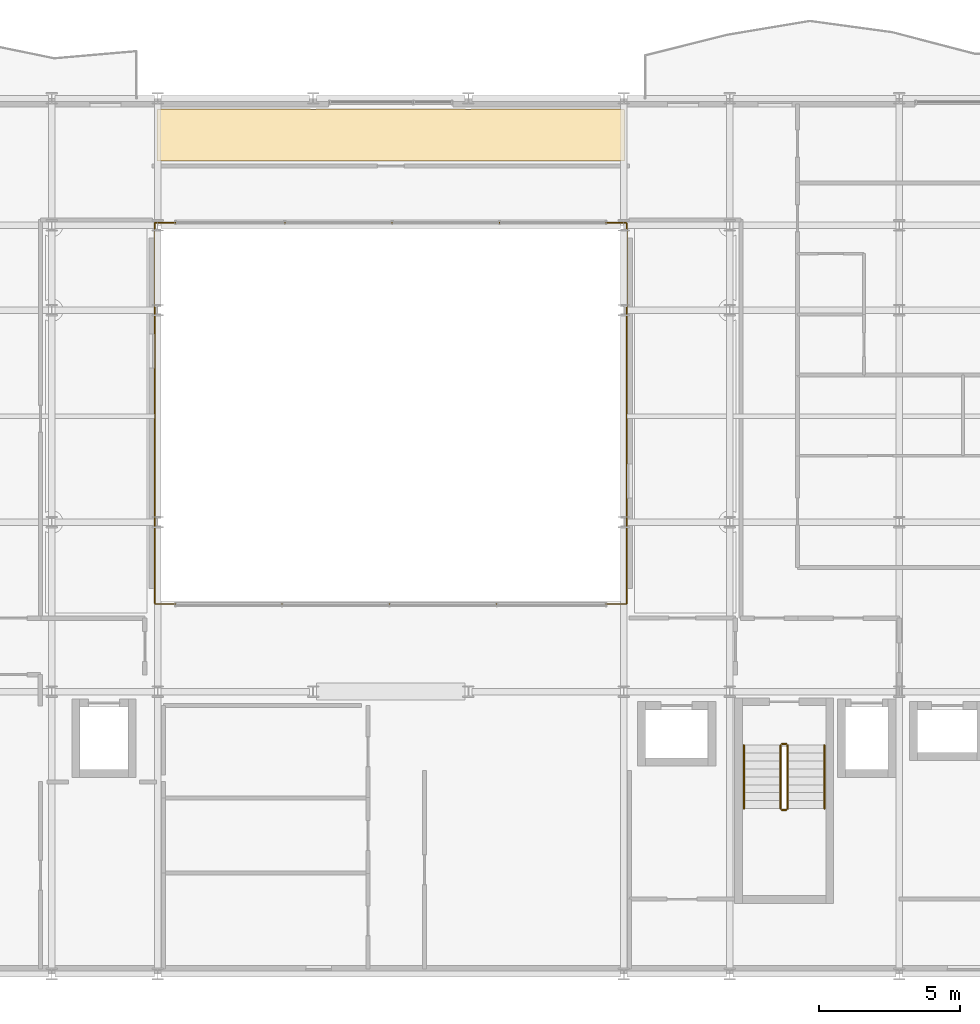
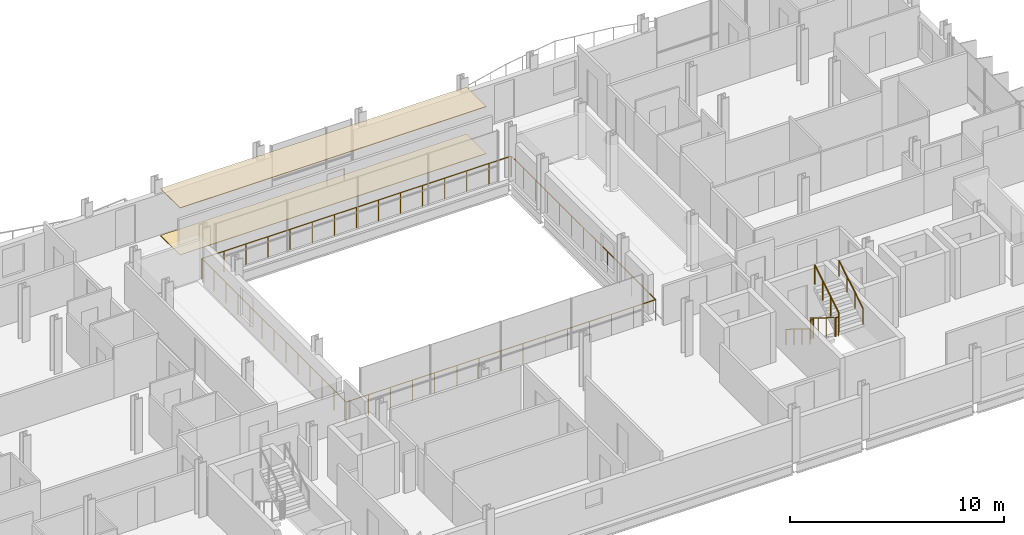
# One storey, part 37 of 38: 8 railings, 2 coverings.
"""IFC4 building model written with IfcOpenShell, lengths in metres."""

from ifc_helpers import new_model, si_unit, direction, frame, origin, origin_2d, place, context, subcontext, project, spatial, polyline, circle, outline, extrude, material, layer, layer_set, type_object, element, save


model = new_model("IFC4")

# Units and contexts
model_context = context("Model", 3, precision=1e-05, world=origin(), true_north=direction((0.0, 1.0)))
body_context = subcontext(model_context, "Body", "Model", "MODEL_VIEW")
ifc_project = project(units=[si_unit("LENGTHUNIT", "METRE"), si_unit("AREAUNIT", "SQUARE_METRE"), si_unit("VOLUMEUNIT", "CUBIC_METRE"), si_unit("PLANEANGLEUNIT", "RADIAN"), si_unit("MASSUNIT", "GRAM", prefix="KILO")], contexts=[model_context])

# Site, building, storey
site_placement = place(None, origin())
site = spatial("IfcSite", under=ifc_project, at=site_placement, CompositionType="ELEMENT")
building_placement = place(site_placement, origin())
building = spatial("IfcBuilding", under=site, at=building_placement, Name="Brevholm Reach", CompositionType="ELEMENT")
storey_placement = place(building_placement, frame((0.0, 0.0, 141.800048828125)))
storey = spatial("IfcBuildingStorey", under=building, at=storey_placement, Name="L42", CompositionType="ELEMENT", Elevation=141.800048828125)

# Coverings
ifc_material_1 = material(Name="Moisture-Resistant Skimmed Gypsum Plasterboard Ceiling", Category="gypsum")
ifc_layer_1 = layer(ifc_material_1, 0.030029296875)
ifc_layer_set_1 = layer_set([ifc_layer_1], Name="Moisture-Resistant Skimmed Gypsum Plasterboard Ceiling")
covering_type_1 = type_object("IfcCoveringType", Name="COV-CLG-GYP", PredefinedType="CEILING", material=ifc_layer_set_1)
covering_1_placement = place(storey_placement, frame((0.0, 0.0, 2.679931640625)))
element("IfcCovering", 1, at=covering_1_placement, inside=storey, type_object=covering_type_1, Name="L42 Suspended Ceiling L42-58", PredefinedType="CEILING", context=body_context, shape_type="SweptSolid", body=[
    extrude(outline(polyline([(27.126220703125, 30.6201171875), (27.1337890625, 30.6171875), (27.172119140625, 30.607666015625), (27.210693359375, 30.601806640625), (27.25, 30.60009765625), (27.289306640625, 30.601806640625), (27.327880859375, 30.607666015625), (27.3662109375, 30.6171875), (27.373779296875, 30.6201171875), (32.626220703125, 30.6201171875), (32.6337890625, 30.6171875), (32.672119140625, 30.607666015625), (32.710693359375, 30.601806640625), (32.75, 30.60009765625), (32.789306640625, 30.601806640625), (32.827880859375, 30.607666015625), (32.8662109375, 30.6171875), (32.873779296875, 30.6201171875), (38.126220703125, 30.6201171875), (38.1337890625, 30.6171875), (38.172119140625, 30.607666015625), (38.210693359375, 30.601806640625), (38.25, 30.60009765625), (38.26611328125, 30.600830078125), (38.26611328125, 28.783935546875), (21.73388671875, 28.783935546875), (21.73388671875, 30.600830078125), (21.75, 30.60009765625), (21.789306640625, 30.601806640625), (21.827880859375, 30.607666015625), (21.8662109375, 30.6171875), (21.873779296875, 30.6201171875), (27.126220703125, 30.6201171875)])), origin(), (0.0, 0.0, 1.0), 0.030029296875),
])
ifc_material_2 = material(Name="Honed Portland-Aggregate Resin Terrazzo Flooring", Category="concrete")
ifc_layer_2 = layer(ifc_material_2, 0.031982421875)
ifc_layer_set_2 = layer_set([ifc_layer_2], Name="Honed Portland-Aggregate Resin Terrazzo Flooring")
covering_type_2 = type_object("IfcCoveringType", Name="COV-FLR-TRZ", PredefinedType="FLOORING", material=ifc_layer_set_2)
covering_2_placement = place(storey_placement, origin())
element("IfcCovering", 2, at=covering_2_placement, inside=storey, type_object=covering_type_2, Name="L42 Floor Finish L42-58", PredefinedType="FLOORING", context=body_context, shape_type="SweptSolid", body=[
    extrude(outline(polyline([(27.126220703125, 30.6201171875), (27.1337890625, 30.6171875), (27.172119140625, 30.607666015625), (27.210693359375, 30.601806640625), (27.25, 30.60009765625), (27.289306640625, 30.601806640625), (27.327880859375, 30.607666015625), (27.3662109375, 30.6171875), (27.373779296875, 30.6201171875), (32.626220703125, 30.6201171875), (32.6337890625, 30.6171875), (32.672119140625, 30.607666015625), (32.710693359375, 30.601806640625), (32.75, 30.60009765625), (32.789306640625, 30.601806640625), (32.827880859375, 30.607666015625), (32.8662109375, 30.6171875), (32.873779296875, 30.6201171875), (38.126220703125, 30.6201171875), (38.1337890625, 30.6171875), (38.172119140625, 30.607666015625), (38.210693359375, 30.601806640625), (38.25, 30.60009765625), (38.26611328125, 30.600830078125), (38.26611328125, 28.783935546875), (21.73388671875, 28.783935546875), (21.73388671875, 30.600830078125), (21.75, 30.60009765625), (21.789306640625, 30.601806640625), (21.827880859375, 30.607666015625), (21.8662109375, 30.6171875), (21.873779296875, 30.6201171875), (27.126220703125, 30.6201171875)])), origin(), (0.0, 0.0, 1.0), 0.031982421875),
])

# Railings
ifc_material_3 = material(Name="Brushed Stainless Steel EN 1.4401 Continuous Handrail", Category="steel")
railing_type_1 = type_object("IfcRailingType", Name="RAL-HND-950", PredefinedType="HANDRAIL", material=ifc_material_3)
railing_1_placement = place(storey_placement, frame((42.5, 8.10009765625, 0.172119140625)))
element("IfcRailing", 3, at=railing_1_placement, inside=storey, type_object=railing_type_1, Name="L42 ST-2 stair handrail 1", PredefinedType="HANDRAIL", context=body_context, shape_type="SweptSolid", body=[
    extrude(circle(Radius=0.02392578125, at=origin_2d()), frame((0.0, 0.0, 0.8857421875), z_axis=(0.0, -0.851747552033, 0.523952390591), x_axis=(1.0, 0.0, 0.0)), (0.0, 0.0, 1.0), 2.6298828125),
    extrude(circle(Radius=0.02099609375, at=origin_2d()), origin(), (0.0, 0.0, 1.0), 0.86181640625),
    extrude(circle(Radius=0.02099609375, at=origin_2d()), frame((0.0, -0.74658203125, 0.459228515625)), (0.0, 0.0, 1.0), 0.86181640625),
    extrude(circle(Radius=0.02099609375, at=origin_2d()), frame((0.0, -1.493408203125, 0.918701171875)), (0.0, 0.0, 1.0), 0.86181640625),
    extrude(circle(Radius=0.02099609375, at=origin_2d()), frame((0.0, -2.239990234375, 1.3779296875)), (0.0, 0.0, 1.0), 0.86181640625),
])
railing_2_placement = place(storey_placement, frame((45.35009765625, 5.860107421875, 1.72216796875)))
element("IfcRailing", 4, at=railing_2_placement, inside=storey, type_object=railing_type_1, Name="L42 ST-2 stair handrail 2", PredefinedType="HANDRAIL", context=body_context, shape_type="SweptSolid", body=[
    extrude(circle(Radius=0.02392578125, at=origin_2d()), frame((0.0, 0.0, 0.8857421875), z_axis=(0.0, 0.85178898068, 0.523885037382), x_axis=(-1.0, 0.0, 0.0)), (0.0, 0.0, 1.0), 2.629638671875),
    extrude(circle(Radius=0.02099609375, at=origin_2d()), origin(), (0.0, 0.0, 1.0), 0.86181640625),
    extrude(circle(Radius=0.02099609375, at=origin_2d()), frame((0.0, 0.74658203125, 0.459228515625)), (0.0, 0.0, 1.0), 0.86181640625),
    extrude(circle(Radius=0.02099609375, at=origin_2d()), frame((0.0, 1.493408203125, 0.91845703125)), (0.0, 0.0, 1.0), 0.86181640625),
    extrude(circle(Radius=0.02099609375, at=origin_2d()), frame((0.0, 2.239990234375, 1.377685546875)), (0.0, 0.0, 1.0), 0.86181640625),
])
ifc_material_4 = material(Name="Painted Tubular Galvanised Steel S275JR Stair Guard", Category="steel")
railing_type_2 = type_object("IfcRailingType", Name="RAL-STG-1120", PredefinedType="BALUSTRADE", material=ifc_material_4)
railing_3_placement = place(storey_placement, frame((43.800048828125, 8.10009765625, 0.172119140625)))
element("IfcRailing", 5, at=railing_3_placement, inside=storey, type_object=railing_type_2, Name="L42 ST-2 stair guard 1", PredefinedType="BALUSTRADE", context=body_context, shape_type="SweptSolid", body=[
    extrude(circle(Radius=0.02392578125, at=origin_2d()), frame((0.0, 0.0, 1.076171875), z_axis=(0.0, -0.851747552033, 0.523952390591), x_axis=(1.0, 0.0, 0.0)), (0.0, 0.0, 1.0), 2.6298828125),
    extrude(circle(Radius=0.02099609375, at=origin_2d()), origin(), (0.0, 0.0, 1.0), 1.052001953125),
    extrude(circle(Radius=0.02099609375, at=origin_2d()), frame((0.0, -0.74658203125, 0.459228515625)), (0.0, 0.0, 1.0), 1.052001953125),
    extrude(circle(Radius=0.02099609375, at=origin_2d()), frame((0.0, -1.493408203125, 0.918701171875)), (0.0, 0.0, 1.0), 1.052001953125),
    extrude(circle(Radius=0.02099609375, at=origin_2d()), frame((0.0, -2.239990234375, 1.3779296875)), (0.0, 0.0, 1.0), 1.052001953125),
])
railing_4_placement = place(storey_placement, frame((43.85009765625, 5.81005859375, 1.550048828125)))
element("IfcRailing", 6, at=railing_4_placement, inside=storey, type_object=railing_type_2, Name="L42 ST-2 stair guard 2", PredefinedType="BALUSTRADE", context=body_context, shape_type="SweptSolid", body=[
    extrude(circle(Radius=0.02392578125, at=origin_2d()), frame((0.0, 0.0, 1.076171875), z_axis=(1.0, 0.0, 0.0), x_axis=(0.0, 1.0, 0.0)), (0.0, 0.0, 1.0), 0.14990234375),
    extrude(circle(Radius=0.02099609375, at=origin_2d()), origin(), (0.0, 0.0, 1.0), 1.052001953125),
    extrude(circle(Radius=0.02099609375, at=origin_2d()), frame((0.14990234375, 0.0, 0.0)), (0.0, 0.0, 1.0), 1.052001953125),
])
railing_5_placement = place(storey_placement, frame((44.050048828125, 5.860107421875, 1.72216796875)))
element("IfcRailing", 7, at=railing_5_placement, inside=storey, type_object=railing_type_2, Name="L42 ST-2 stair guard 3", PredefinedType="BALUSTRADE", context=body_context, shape_type="SweptSolid", body=[
    extrude(circle(Radius=0.02392578125, at=origin_2d()), frame((0.0, 0.0, 1.076171875), z_axis=(0.0, 0.85178898068, 0.523885037382), x_axis=(-1.0, 0.0, 0.0)), (0.0, 0.0, 1.0), 2.629638671875),
    extrude(circle(Radius=0.02099609375, at=origin_2d()), origin(), (0.0, 0.0, 1.0), 1.052001953125),
    extrude(circle(Radius=0.02099609375, at=origin_2d()), frame((0.0, 0.74658203125, 0.459228515625)), (0.0, 0.0, 1.0), 1.052001953125),
    extrude(circle(Radius=0.02099609375, at=origin_2d()), frame((0.0, 1.493408203125, 0.91845703125)), (0.0, 0.0, 1.0), 1.052001953125),
    extrude(circle(Radius=0.02099609375, at=origin_2d()), frame((0.0, 2.239990234375, 1.377685546875)), (0.0, 0.0, 1.0), 1.052001953125),
])
railing_6_placement = place(storey_placement, frame((43.85009765625, 8.14990234375, 0.0)))
element("IfcRailing", 8, at=railing_6_placement, inside=storey, type_object=railing_type_2, Name="L42 ST-2 stair guard 4", PredefinedType="BALUSTRADE", context=body_context, shape_type="SweptSolid", body=[
    extrude(circle(Radius=0.02392578125, at=origin_2d()), frame((0.0, 0.0, 1.076171875), z_axis=(1.0, 0.0, 0.0), x_axis=(0.0, 1.0, 0.0)), (0.0, 0.0, 1.0), 0.14990234375),
    extrude(circle(Radius=0.02099609375, at=origin_2d()), origin(), (0.0, 0.0, 1.0), 1.052001953125),
    extrude(circle(Radius=0.02099609375, at=origin_2d()), frame((0.14990234375, 0.0, 0.0)), (0.0, 0.0, 1.0), 1.052001953125),
])
ifc_material_5 = material(Name="Brushed Stainless Steel EN 1.4401 and Laminated Glass", Category="steel")
railing_type_3 = type_object("IfcRailingType", Name="RAL-TERR-1200", PredefinedType="BALUSTRADE", material=ifc_material_5)
railing_7_placement = place(storey_placement, frame((21.64990234375, 13.10009765625, 0.0)))
element("IfcRailing", 9, at=railing_7_placement, inside=storey, type_object=railing_type_3, Name="L42 Guard Balustrade RAL-L42-AT-VOID-SW", PredefinedType="BALUSTRADE", context=body_context, shape_type="SweptSolid", body=[
    extrude(circle(Radius=0.02392578125, at=origin_2d()), frame((0.0, 0.0, 1.17578125), z_axis=(1.0, 0.0, 0.0), x_axis=(0.0, 1.0, 0.0)), (0.0, 0.0, 1.0), 16.7001953125),
    extrude(circle(Radius=0.02392578125, at=origin_2d()), frame((16.7001953125, 0.0, 1.17578125), z_axis=(0.0, 1.0, 0.0), x_axis=(-1.0, 0.0, 0.0)), (0.0, 0.0, 1.0), 13.47998046875),
    extrude(circle(Radius=0.02099609375, at=origin_2d()), origin(), (0.0, 0.0, 1.0), 1.15185546875),
    extrude(circle(Radius=0.02099609375, at=origin_2d()), frame((1.19287109375, 0.0, 0.0)), (0.0, 0.0, 1.0), 1.15185546875),
    extrude(circle(Radius=0.02099609375, at=origin_2d()), frame((2.3857421875, 0.0, 0.0)), (0.0, 0.0, 1.0), 1.15185546875),
    extrude(circle(Radius=0.02099609375, at=origin_2d()), frame((3.57861328125, 0.0, 0.0)), (0.0, 0.0, 1.0), 1.15185546875),
    extrude(circle(Radius=0.02099609375, at=origin_2d()), frame((4.771484375, 0.0, 0.0)), (0.0, 0.0, 1.0), 1.15185546875),
    extrude(circle(Radius=0.02099609375, at=origin_2d()), frame((5.96435546875, 0.0, 0.0)), (0.0, 0.0, 1.0), 1.15185546875),
    extrude(circle(Radius=0.02099609375, at=origin_2d()), frame((7.1572265625, 0.0, 0.0)), (0.0, 0.0, 1.0), 1.15185546875),
    extrude(circle(Radius=0.02099609375, at=origin_2d()), frame((8.35009765625, 0.0, 0.0)), (0.0, 0.0, 1.0), 1.15185546875),
    extrude(circle(Radius=0.02099609375, at=origin_2d()), frame((9.54296875, 0.0, 0.0)), (0.0, 0.0, 1.0), 1.15185546875),
    extrude(circle(Radius=0.02099609375, at=origin_2d()), frame((10.73583984375, 0.0, 0.0)), (0.0, 0.0, 1.0), 1.15185546875),
    extrude(circle(Radius=0.02099609375, at=origin_2d()), frame((11.9287109375, 0.0, 0.0)), (0.0, 0.0, 1.0), 1.15185546875),
    extrude(circle(Radius=0.02099609375, at=origin_2d()), frame((13.12158203125, 0.0, 0.0)), (0.0, 0.0, 1.0), 1.15185546875),
    extrude(circle(Radius=0.02099609375, at=origin_2d()), frame((14.314453125, 0.0, 0.0)), (0.0, 0.0, 1.0), 1.15185546875),
    extrude(circle(Radius=0.02099609375, at=origin_2d()), frame((15.50732421875, 0.0, 0.0)), (0.0, 0.0, 1.0), 1.15185546875),
    extrude(circle(Radius=0.02099609375, at=origin_2d()), frame((16.7001953125, 0.0, 0.0)), (0.0, 0.0, 1.0), 1.15185546875),
    extrude(circle(Radius=0.02099609375, at=origin_2d()), frame((16.7001953125, 1.123291015625, 0.0)), (0.0, 0.0, 1.0), 1.15185546875),
    extrude(circle(Radius=0.02099609375, at=origin_2d()), frame((16.7001953125, 2.24658203125, 0.0)), (0.0, 0.0, 1.0), 1.15185546875),
    extrude(circle(Radius=0.02099609375, at=origin_2d()), frame((16.7001953125, 3.3701171875, 0.0)), (0.0, 0.0, 1.0), 1.15185546875),
    extrude(circle(Radius=0.02099609375, at=origin_2d()), frame((16.7001953125, 4.493408203125, 0.0)), (0.0, 0.0, 1.0), 1.15185546875),
    extrude(circle(Radius=0.02099609375, at=origin_2d()), frame((16.7001953125, 5.61669921875, 0.0)), (0.0, 0.0, 1.0), 1.15185546875),
    extrude(circle(Radius=0.02099609375, at=origin_2d()), frame((16.7001953125, 6.739990234375, 0.0)), (0.0, 0.0, 1.0), 1.15185546875),
    extrude(circle(Radius=0.02099609375, at=origin_2d()), frame((16.7001953125, 7.86328125, 0.0)), (0.0, 0.0, 1.0), 1.15185546875),
    extrude(circle(Radius=0.02099609375, at=origin_2d()), frame((16.7001953125, 8.986572265625, 0.0)), (0.0, 0.0, 1.0), 1.15185546875),
    extrude(circle(Radius=0.02099609375, at=origin_2d()), frame((16.7001953125, 10.10986328125, 0.0)), (0.0, 0.0, 1.0), 1.15185546875),
    extrude(circle(Radius=0.02099609375, at=origin_2d()), frame((16.7001953125, 11.2333984375, 0.0)), (0.0, 0.0, 1.0), 1.15185546875),
    extrude(circle(Radius=0.02099609375, at=origin_2d()), frame((16.7001953125, 12.356689453125, 0.0)), (0.0, 0.0, 1.0), 1.15185546875),
    extrude(circle(Radius=0.02099609375, at=origin_2d()), frame((16.7001953125, 13.47998046875, 0.0)), (0.0, 0.0, 1.0), 1.15185546875),
])
railing_8_placement = place(storey_placement, frame((38.330078125, 26.60009765625, 0.0)))
element("IfcRailing", 10, at=railing_8_placement, inside=storey, type_object=railing_type_3, Name="L42 Guard Balustrade RAL-L42-AT-VOID-NE", PredefinedType="BALUSTRADE", context=body_context, shape_type="SweptSolid", body=[
    extrude(circle(Radius=0.02392578125, at=origin_2d()), frame((0.0, 0.0, 1.17578125), z_axis=(-1.0, 0.0, 0.0), x_axis=(0.0, -1.0, 0.0)), (0.0, 0.0, 1.0), 16.68017578125),
    extrude(circle(Radius=0.02392578125, at=origin_2d()), frame((-16.68017578125, 0.0, 1.17578125), z_axis=(0.0, -1.0, 0.0), x_axis=(1.0, 0.0, 0.0)), (0.0, 0.0, 1.0), 13.47998046875),
    extrude(circle(Radius=0.02099609375, at=origin_2d()), origin(), (0.0, 0.0, 1.0), 1.15185546875),
    extrude(circle(Radius=0.02099609375, at=origin_2d()), frame((-1.19140625, 0.0, 0.0)), (0.0, 0.0, 1.0), 1.15185546875),
    extrude(circle(Radius=0.02099609375, at=origin_2d()), frame((-2.3828125, 0.0, 0.0)), (0.0, 0.0, 1.0), 1.15185546875),
    extrude(circle(Radius=0.02099609375, at=origin_2d()), frame((-3.57421875, 0.0, 0.0)), (0.0, 0.0, 1.0), 1.15185546875),
    extrude(circle(Radius=0.02099609375, at=origin_2d()), frame((-4.765869140625, 0.0, 0.0)), (0.0, 0.0, 1.0), 1.15185546875),
    extrude(circle(Radius=0.02099609375, at=origin_2d()), frame((-5.957275390625, 0.0, 0.0)), (0.0, 0.0, 1.0), 1.15185546875),
    extrude(circle(Radius=0.02099609375, at=origin_2d()), frame((-7.148681640625, 0.0, 0.0)), (0.0, 0.0, 1.0), 1.15185546875),
    extrude(circle(Radius=0.02099609375, at=origin_2d()), frame((-8.340087890625, 0.0, 0.0)), (0.0, 0.0, 1.0), 1.15185546875),
    extrude(circle(Radius=0.02099609375, at=origin_2d()), frame((-9.531494140625, 0.0, 0.0)), (0.0, 0.0, 1.0), 1.15185546875),
    extrude(circle(Radius=0.02099609375, at=origin_2d()), frame((-10.722900390625, 0.0, 0.0)), (0.0, 0.0, 1.0), 1.15185546875),
    extrude(circle(Radius=0.02099609375, at=origin_2d()), frame((-11.914306640625, 0.0, 0.0)), (0.0, 0.0, 1.0), 1.15185546875),
    extrude(circle(Radius=0.02099609375, at=origin_2d()), frame((-13.10595703125, 0.0, 0.0)), (0.0, 0.0, 1.0), 1.15185546875),
    extrude(circle(Radius=0.02099609375, at=origin_2d()), frame((-14.29736328125, 0.0, 0.0)), (0.0, 0.0, 1.0), 1.15185546875),
    extrude(circle(Radius=0.02099609375, at=origin_2d()), frame((-15.48876953125, 0.0, 0.0)), (0.0, 0.0, 1.0), 1.15185546875),
    extrude(circle(Radius=0.02099609375, at=origin_2d()), frame((-16.68017578125, 0.0, 0.0)), (0.0, 0.0, 1.0), 1.15185546875),
    extrude(circle(Radius=0.02099609375, at=origin_2d()), frame((-16.68017578125, -1.123291015625, 0.0)), (0.0, 0.0, 1.0), 1.15185546875),
    extrude(circle(Radius=0.02099609375, at=origin_2d()), frame((-16.68017578125, -2.24658203125, 0.0)), (0.0, 0.0, 1.0), 1.15185546875),
    extrude(circle(Radius=0.02099609375, at=origin_2d()), frame((-16.68017578125, -3.3701171875, 0.0)), (0.0, 0.0, 1.0), 1.15185546875),
    extrude(circle(Radius=0.02099609375, at=origin_2d()), frame((-16.68017578125, -4.493408203125, 0.0)), (0.0, 0.0, 1.0), 1.15185546875),
    extrude(circle(Radius=0.02099609375, at=origin_2d()), frame((-16.68017578125, -5.61669921875, 0.0)), (0.0, 0.0, 1.0), 1.15185546875),
    extrude(circle(Radius=0.02099609375, at=origin_2d()), frame((-16.68017578125, -6.739990234375, 0.0)), (0.0, 0.0, 1.0), 1.15185546875),
    extrude(circle(Radius=0.02099609375, at=origin_2d()), frame((-16.68017578125, -7.86328125, 0.0)), (0.0, 0.0, 1.0), 1.15185546875),
    extrude(circle(Radius=0.02099609375, at=origin_2d()), frame((-16.68017578125, -8.986572265625, 0.0)), (0.0, 0.0, 1.0), 1.15185546875),
    extrude(circle(Radius=0.02099609375, at=origin_2d()), frame((-16.68017578125, -10.10986328125, 0.0)), (0.0, 0.0, 1.0), 1.15185546875),
    extrude(circle(Radius=0.02099609375, at=origin_2d()), frame((-16.68017578125, -11.2333984375, 0.0)), (0.0, 0.0, 1.0), 1.15185546875),
    extrude(circle(Radius=0.02099609375, at=origin_2d()), frame((-16.68017578125, -12.356689453125, 0.0)), (0.0, 0.0, 1.0), 1.15185546875),
    extrude(circle(Radius=0.02099609375, at=origin_2d()), frame((-16.68017578125, -13.47998046875, 0.0)), (0.0, 0.0, 1.0), 1.15185546875),
])

save(model, "model.ifc")
